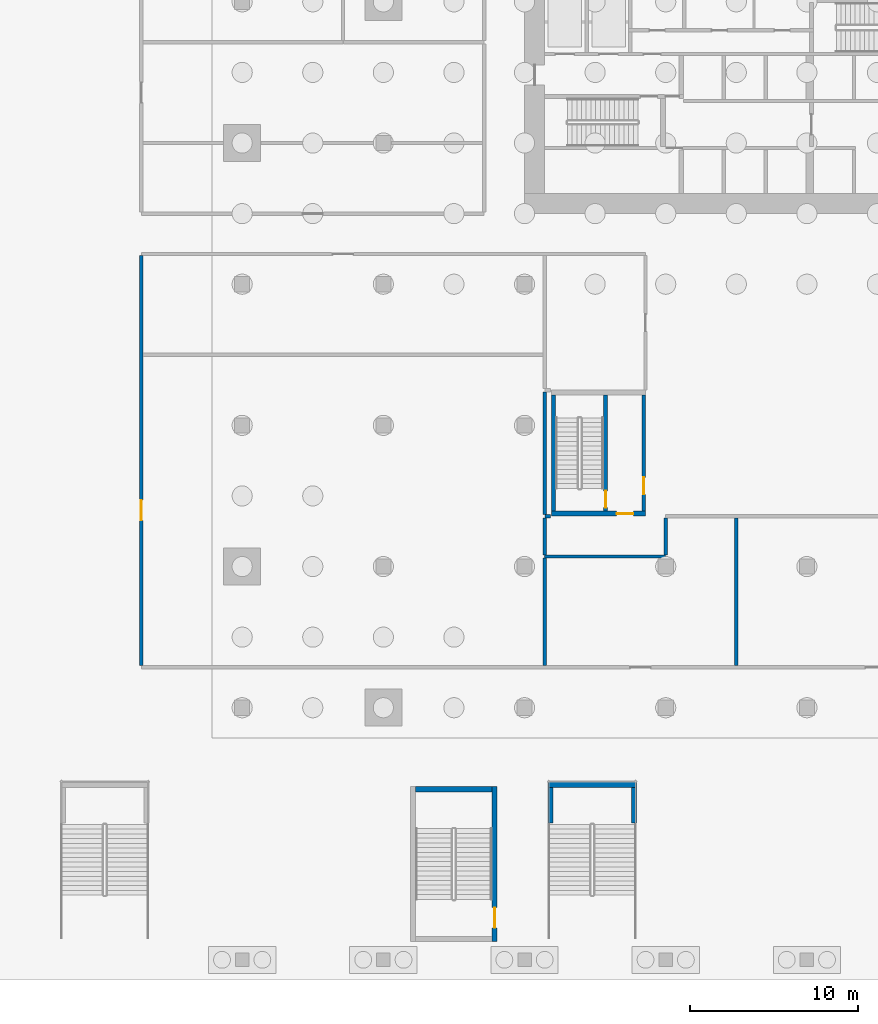
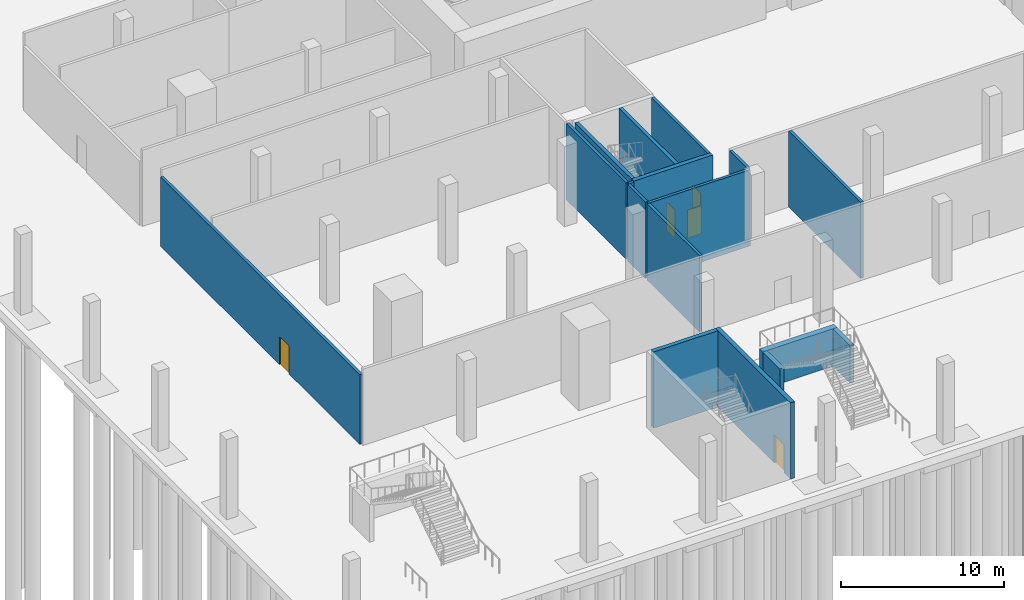
# One storey, part 4 of 16: 17 walls, 5 doors, 5 openings.
"""IFC4 building model written with IfcOpenShell, lengths in metres."""

import ifcopenshell
import ifcopenshell.guid

model = None  # the IFC model being written
_history = None  # IfcOwnerHistory: only IFC2X3 demands one
_inside = {}  # id of a spatial element -> (the spatial element, [elements in it])
_under = {}  # id of a project, library or spatial element -> (it, [spatial elements below it])
_declared = {}  # id of a project -> (the project, [libraries it declares])
_typed = {}  # id of a type object -> (the type object, [elements of that type])
_made_of = {}  # id of a material, layer set ... -> (it, [elements and type objects made of it])


def new_model(schema):
    """Start an empty IFC model of exactly this schema.

    Asked for "IFC4X3", IfcOpenShell would pick the latest addendum, in which some entities
    have other attributes; the version numbers below select the first issue.
    IFC2X3 requires an IfcOwnerHistory on every rooted entity: one is made here for all.
    """
    global model, _history
    if schema == "IFC4X3":
        model = ifcopenshell.file(schema_version=(4, 3, 0, 0))
    else:
        model = ifcopenshell.file(schema=schema)
    _inside.clear()
    _under.clear()
    _declared.clear()
    _typed.clear()
    _made_of.clear()
    _history = None
    if model.schema == "IFC2X3":
        org = make("IfcOrganization", Name="unknown")
        user = make(
            "IfcPersonAndOrganization",
            ThePerson=make("IfcPerson", FamilyName="unknown"),
            TheOrganization=org,
        )
        app = make(
            "IfcApplication",
            ApplicationDeveloper=org,
            Version="unknown",
            ApplicationFullName="unknown",
            ApplicationIdentifier="unknown",
        )
        _history = make(
            "IfcOwnerHistory",
            OwningUser=user,
            OwningApplication=app,
            ChangeAction="ADDED",
            CreationDate=0,
        )
    return model


def make(cls, **values):
    """One entity of the class cls with the attributes given. An attribute that is None is left unset."""
    return model.create_entity(
        cls, **{name: value for name, value in values.items() if value is not None}
    )


def rooted(cls, **values):
    """An entity with a GlobalId (a new one), such as an element, a storey or a relation."""
    return make(cls, GlobalId=ifcopenshell.guid.new(), OwnerHistory=_history, **values)


def si_unit(unit_type, name, prefix=None):
    """IfcSIUnit, for example si_unit("LENGTHUNIT", "METRE", prefix="MILLI")."""
    return make("IfcSIUnit", UnitType=unit_type, Prefix=prefix, Name=name)


def assignment(units):
    """IfcUnitAssignment: the units of a project."""
    return None if units is None else make("IfcUnitAssignment", Units=units)


def point(xyz):
    """IfcCartesianPoint."""
    return None if xyz is None else make("IfcCartesianPoint", Coordinates=xyz)


def direction(xyz):
    """IfcDirection."""
    return None if xyz is None else make("IfcDirection", DirectionRatios=xyz)


def frame(location, z_axis=None, x_axis=None):
    """IfcAxis2Placement3D, a coordinate frame: its origin and axes. An axis left out is left unset."""
    return make(
        "IfcAxis2Placement3D",
        Location=point(location),
        Axis=direction(z_axis),
        RefDirection=direction(x_axis),
    )


def frame_2d(location, x_axis=None):
    """IfcAxis2Placement2D, a coordinate frame in the plane: its origin and x axis."""
    return make(
        "IfcAxis2Placement2D", Location=point(location), RefDirection=direction(x_axis)
    )


def origin():
    """The frame at (0, 0, 0) with its axes left unset."""
    return frame((0.0, 0.0, 0.0))


def place(relative_to, where):
    """IfcLocalPlacement: puts the frame where relative to a parent placement (None: the world)."""
    return make(
        "IfcLocalPlacement", PlacementRelTo=relative_to, RelativePlacement=where
    )


def context(
    kind, dimensions, precision=None, world=None, true_north=None, identifier=None
):
    """IfcGeometricRepresentationContext, for example the 3D "Model" context."""
    return make(
        "IfcGeometricRepresentationContext",
        ContextIdentifier=identifier,
        ContextType=kind,
        CoordinateSpaceDimension=dimensions,
        Precision=precision,
        WorldCoordinateSystem=world,
        TrueNorth=true_north,
    )


def subcontext(parent, identifier, kind, view, scale=None):
    """IfcGeometricRepresentationSubContext, for example "Body" below "Model"."""
    return make(
        "IfcGeometricRepresentationSubContext",
        ContextIdentifier=identifier,
        ContextType=kind,
        ParentContext=parent,
        TargetScale=scale,
        TargetView=view,
    )


def project(units=None, contexts=None):
    """IfcProject with its units and contexts."""
    return rooted(
        "IfcProject",
        Name="project",
        RepresentationContexts=contexts,
        UnitsInContext=assignment(units),
    )


def spatial(cls, under=None, at=None, **own):
    """A site, building, storey or space (cls), placed at a placement, below another one or the project."""
    s = rooted(cls, ObjectPlacement=at, **own)
    if under is not None:
        _under.setdefault(under.id(), (under, []))[1].append(s)
    return s


def profile(cls, at=None, kind="AREA", **sizes):
    """A parametric profile (cls). Its sizes go by their IFC names, for example OverallWidth=200.0."""
    return make(cls, ProfileType=kind, Position=at, **sizes)


def rectangle(**sizes):
    """IfcRectangleProfileDef."""
    return profile("IfcRectangleProfileDef", **sizes)


def extrude(swept, where, along, depth):
    """IfcExtrudedAreaSolid: the profile swept, set in the frame where, extruded along a direction by depth."""
    return make(
        "IfcExtrudedAreaSolid",
        SweptArea=swept,
        Position=where,
        ExtrudedDirection=direction(along),
        Depth=depth,
    )


def shape(context_of_items, identifier, shape_type, items):
    """IfcShapeRepresentation: the items that make up one representation, for example the "Body"."""
    return make(
        "IfcShapeRepresentation",
        ContextOfItems=context_of_items,
        RepresentationIdentifier=identifier,
        RepresentationType=shape_type,
        Items=items,
    )


def material(Name=None, Category=None):
    """IfcMaterial."""
    return make("IfcMaterial", Name=Name, Category=Category)


def layer(
    of_material, thickness, ventilated=None, Name=None, Category=None, Priority=None
):
    """IfcMaterialLayer: one layer of a wall or slab, of a material (None: an air gap)."""
    return make(
        "IfcMaterialLayer",
        Material=of_material,
        LayerThickness=thickness,
        IsVentilated=ventilated,
        Name=Name,
        Category=Category,
        Priority=Priority,
    )


def layer_set(layers, Name=None):
    """IfcMaterialLayerSet."""
    return make("IfcMaterialLayerSet", MaterialLayers=layers, LayerSetName=Name)


def made_of(thing, what):
    """Note that an element or type object is made of a material, layer set ...; save() writes the relation."""
    if what is not None:
        _made_of.setdefault(what.id(), (what, []))[1].append(thing)
    return thing


def type_object(cls, material=None, **own):
    """A type object (cls), such as IfcWallType, which elements share."""
    return made_of(rooted(cls, **own), material)


def element(
    cls,
    number,
    at=None,
    inside=None,
    cuts=None,
    type_object=None,
    material=None,
    context=None,
    identifier="Body",
    shape_type=None,
    held_by="IfcProductDefinitionShape",
    body=None,
    shapes=None,
    **own,
):
    """One element of the class cls, such as IfcWall. Its Tag is "e" and its number.

    at: its placement. inside: the storey or other place that contains it. cuts: it is an
    opening in that element (IfcRelVoidsElement). A single representation is given by context,
    identifier, shape_type and body (its items); several are given by shapes. held_by: the class
    of the entity that holds the representations. save() writes the other relations.
    """
    e = rooted(cls, Tag="e%d" % number, ObjectPlacement=at, **own)
    if body is not None:
        shapes = [shape(context, identifier, shape_type, body)]
    if shapes is not None:
        e.Representation = make(held_by, Representations=shapes)
    if inside is not None:
        _inside.setdefault(inside.id(), (inside, []))[1].append(e)
    if cuts is not None:
        rooted(
            "IfcRelVoidsElement", RelatingBuildingElement=cuts, RelatedOpeningElement=e
        )
    if type_object is not None:
        _typed.setdefault(type_object.id(), (type_object, []))[1].append(e)
    return made_of(e, material)


def fill(opening, filler):
    """IfcRelFillsElement: the door or window that sits in an opening."""
    return rooted(
        "IfcRelFillsElement",
        RelatingOpeningElement=opening,
        RelatedBuildingElement=filler,
    )


def aggregate(whole, parts):
    """IfcRelAggregates: a whole, such as a stair, and the parts it consists of."""
    return rooted("IfcRelAggregates", RelatingObject=whole, RelatedObjects=parts)


def save(model, path):
    """Write the relations noted so far, then the file.

    IfcRelAggregates (storeys below a building ...), IfcRelContainedInSpatialStructure (elements
    in a storey), IfcRelDefinesByType, IfcRelAssociatesMaterial and IfcRelDeclares: one each for
    every whole, place, type object, material and project.
    """
    for whole, parts in _under.values():
        aggregate(whole, parts)
    for where, things in _inside.values():
        rooted(
            "IfcRelContainedInSpatialStructure",
            RelatedElements=things,
            RelatingStructure=where,
        )
    for kind, things in _typed.values():
        rooted("IfcRelDefinesByType", RelatedObjects=things, RelatingType=kind)
    for what, things in _made_of.values():
        rooted("IfcRelAssociatesMaterial", RelatedObjects=things, RelatingMaterial=what)
    for by, libraries in _declared.values():
        rooted("IfcRelDeclares", RelatingContext=by, RelatedDefinitions=libraries)
    model.write(path)


model = new_model("IFC4")

# Units and contexts
model_context = context("Model", 3, precision=1e-05, world=origin(), true_north=direction((0.0, 1.0)))
body_context = subcontext(model_context, "Body", "Model", "MODEL_VIEW")
ifc_project = project(units=[si_unit("LENGTHUNIT", "METRE"), si_unit("AREAUNIT", "SQUARE_METRE"), si_unit("VOLUMEUNIT", "CUBIC_METRE"), si_unit("PLANEANGLEUNIT", "RADIAN"), si_unit("MASSUNIT", "GRAM", prefix="KILO")], contexts=[model_context])

# Site, building, storey
site_placement = place(None, origin())
site = spatial("IfcSite", under=ifc_project, at=site_placement, CompositionType="ELEMENT")
building_placement = place(site_placement, origin())
building = spatial("IfcBuilding", under=site, at=building_placement, Name="Saffron Gate Tower", CompositionType="ELEMENT")
storey_placement = place(building_placement, frame((0.0, 0.0, -6.0)))
storey = spatial("IfcBuildingStorey", under=building, at=storey_placement, Name="B1", CompositionType="ELEMENT", Elevation=-6.0)

# Wall, opening, door
ifc_material_1 = material(Name="Gypsum board partition on steel studs", Category="steel")
ifc_layer_1 = layer(ifc_material_1, 0.199951171875)
ifc_layer_set_1 = layer_set([ifc_layer_1], Name="CW10 Core partition 200")
wall_type_1 = type_object("IfcWallType", Name="CW10 Core partition 200", PredefinedType="PARTITIONING", material=ifc_layer_set_1)
wall_1_placement = place(storey_placement, frame((73.699951171875, 43.5, 0.0), z_axis=(0.0, 0.0, 1.0), x_axis=(0.0, 1.0, 0.0)))
wall_1 = element("IfcWall", 1, at=wall_1_placement, inside=storey, type_object=wall_type_1, Name="Wall CW10-B1-D-4", PredefinedType="PARTITIONING", context=body_context, shape_type="SweptSolid", body=[
    extrude(rectangle(XDim=6.89990234375, YDim=0.199951171875, at=frame_2d((3.449951171875, 0.0))), origin(), (0.0, 0.0, 1.0), 5.699951171875),
])
opening_1_placement = place(wall_1_placement, frame((1.0, 0.0, 0.0)))
opening_1 = element("IfcOpeningElement", 2, at=opening_1_placement, cuts=wall_1, Name="Opening CR-19", PredefinedType="OPENING", context=body_context, shape_type="SweptSolid", body=[
    extrude(rectangle(XDim=1.0, YDim=2.10009765625, at=frame_2d((0.5, 1.050048828125))), frame((0.0, 0.10986328125, 0.0), z_axis=(0.0, -1.0, 0.0), x_axis=(1.0, 0.0, 0.0)), (0.0, 0.0, 1.0), 0.219970703125),
])
ifc_material_2 = material(Name="Steel fire door set", Category="steel")
door_type_1 = type_object("IfcDoorType", Name="CD4 Lobby door 1000x2100 EI 120", OperationType="NOTDEFINED", PredefinedType="DOOR", material=ifc_material_2)
door_1_placement = place(opening_1_placement, origin())
door_1 = element("IfcDoor", 3, at=door_1_placement, inside=storey, type_object=door_type_1, Name="DOOR CR-19", OperationType="SINGLE_SWING_RIGHT", OverallHeight=2.10009765625, OverallWidth=1.0, PredefinedType="DOOR", context=body_context, shape_type="SweptSolid", body=[
    extrude(rectangle(XDim=1.0, YDim=2.10009765625, at=frame_2d((0.5, 1.050048828125))), frame((0.0, 0.02490234375, 0.0), z_axis=(0.0, -1.0, 0.0), x_axis=(1.0, 0.0, 0.0)), (0.0, 0.0, 1.0), 0.050048828125),
])
fill(opening_1, door_1)

# Wall
ifc_material_3 = material(Name="Concrete C70", Category="concrete")
ifc_layer_2 = layer(ifc_material_3, 0.25)
ifc_layer_set_2 = layer_set([ifc_layer_2], Name="CW2 RC core wall 250 C70")
wall_type_2 = type_object("IfcWallType", Name="CW2 RC core wall 250 C70", PredefinedType="SOLIDWALL", material=ifc_layer_set_2)
wall_2_placement = place(storey_placement, frame((68.324951171875, 43.5, 0.0), z_axis=(0.0, 0.0, 1.0), x_axis=(0.0, 1.0, 0.0)))
element("IfcWall", 4, at=wall_2_placement, inside=storey, type_object=wall_type_2, Name="Wall CW2-B1-D-2", PredefinedType="SOLIDWALL", context=body_context, shape_type="SweptSolid", body=[
    extrude(rectangle(XDim=6.89990234375, YDim=0.25, at=frame_2d((3.449951171875, 0.0))), origin(), (0.0, 0.0, 1.0), 5.699951171875),
])

# Wall, opening, door
wall_3_placement = place(storey_placement, frame((71.425048828125, 43.5, 0.0), z_axis=(0.0, 0.0, 1.0), x_axis=(0.0, 1.0, 0.0)))
wall_3 = element("IfcWall", 5, at=wall_3_placement, inside=storey, type_object=wall_type_2, Name="Wall CW2-B1-D-3", PredefinedType="SOLIDWALL", context=body_context, shape_type="SweptSolid", body=[
    extrude(rectangle(XDim=6.89990234375, YDim=0.25, at=frame_2d((3.449951171875, 0.0))), origin(), (0.0, 0.0, 1.0), 5.699951171875),
])
opening_2_placement = place(wall_3_placement, frame((0.199951171875, 0.0, 0.0)))
opening_2 = element("IfcOpeningElement", 6, at=opening_2_placement, cuts=wall_3, Name="Opening CR-20", PredefinedType="OPENING", context=body_context, shape_type="SweptSolid", body=[
    extrude(rectangle(XDim=1.0, YDim=2.10009765625, at=frame_2d((0.5, 1.050048828125))), frame((0.0, 0.135009765625, 0.0), z_axis=(0.0, -1.0, 0.0), x_axis=(1.0, 0.0, 0.0)), (0.0, 0.0, 1.0), 0.27001953125),
])
door_type_2 = type_object("IfcDoorType", Name="CD5 Stair door 1000x2100 EI 120", OperationType="NOTDEFINED", PredefinedType="DOOR", material=ifc_material_2)
door_2_placement = place(opening_2_placement, origin())
door_2 = element("IfcDoor", 7, at=door_2_placement, inside=storey, type_object=door_type_2, Name="DOOR CR-20", OperationType="SINGLE_SWING_LEFT", OverallHeight=2.10009765625, OverallWidth=1.0, PredefinedType="DOOR", context=body_context, shape_type="SweptSolid", body=[
    extrude(rectangle(XDim=1.0, YDim=2.10009765625, at=frame_2d((0.5, 1.050048828125))), frame((0.0, 0.02490234375, 0.0), z_axis=(0.0, -1.0, 0.0), x_axis=(1.0, 0.0, 0.0)), (0.0, 0.0, 1.0), 0.050048828125),
])
fill(opening_2, door_2)

# Walls
ifc_layer_3 = layer(ifc_material_3, 0.39990234375)
ifc_layer_set_3 = layer_set([ifc_layer_3], Name="CW32 RC stair support wall 400 C70")
wall_type_3 = type_object("IfcWallType", Name="CW32 RC stair support wall 400 C70", PredefinedType="SOLIDWALL", material=ifc_layer_set_3)
wall_4_placement = place(storey_placement, frame((73.25, 27.25, 0.0), z_axis=(0.0, 0.0, 1.0), x_axis=(-1.0, 0.0, 0.0)))
element("IfcWall", 8, at=wall_4_placement, inside=storey, type_object=wall_type_3, Name="Wall CW32-SS2-far", PredefinedType="SOLIDWALL", context=body_context, shape_type="SweptSolid", body=[
    extrude(rectangle(XDim=5.25, YDim=0.39990234375, at=frame_2d((2.625, 0.0))), origin(), (0.0, 0.0, 1.0), 2.800048828125),
])
ifc_layer_4 = layer(ifc_material_3, 0.300048828125)
ifc_layer_set_4 = layer_set([ifc_layer_4], Name="CW33 RC stair support wall 300 C70")
wall_type_4 = type_object("IfcWallType", Name="CW33 RC stair support wall 300 C70", PredefinedType="SOLIDWALL", material=ifc_layer_set_4)
for number, where, z_axis, x_axis, name in (
    (9, (73.10009765625, 24.949951171875, 0.0), (0.0, 0.0, 1.0), (0.0, 1.0, 0.0), "Wall CW33-SS2-side-a"),
    (10, (68.14990234375, 24.949951171875, 0.0), (0.0, 0.0, 1.0), (0.0, 1.0, 0.0), "Wall CW33-SS2-side-b"),
):
    element("IfcWall", number, at=place(storey_placement, frame(where, z_axis=z_axis, x_axis=x_axis)), inside=storey, type_object=wall_type_4, Name=name, PredefinedType="SOLIDWALL", context=body_context, shape_type="SweptSolid", body=[
        extrude(rectangle(XDim=2.10009765625, YDim=0.300048828125, at=frame_2d((1.050048828125, 0.0))), origin(), (0.0, 0.0, 1.0), 2.800048828125),
    ])

# Wall, opening, door
ifc_layer_5 = layer(ifc_material_3, 0.300048828125)
ifc_layer_set_5 = layer_set([ifc_layer_5], Name="CW5 RC core wall 300 C70")
wall_type_5 = type_object("IfcWallType", Name="CW5 RC core wall 300 C70", PredefinedType="SOLIDWALL", material=ifc_layer_set_5)
wall_5_placement = place(storey_placement, frame((68.199951171875, 43.35009765625, 0.0), z_axis=(0.0, 0.0, 1.0), x_axis=(1.0, 0.0, 0.0)))
wall_5 = element("IfcWall", 11, at=wall_5_placement, inside=storey, type_object=wall_type_5, Name="Wall CW5-B1-D-1", PredefinedType="SOLIDWALL", context=body_context, shape_type="SweptSolid", body=[
    extrude(rectangle(XDim=5.60009765625, YDim=0.300048828125, at=frame_2d((2.800048828125, 0.0))), origin(), (0.0, 0.0, 1.0), 5.699951171875),
])
opening_3_placement = place(wall_5_placement, frame((3.875, 0.0, 0.0)))
opening_3 = element("IfcOpeningElement", 12, at=opening_3_placement, cuts=wall_5, Name="Opening CR-18", PredefinedType="OPENING", context=body_context, shape_type="SweptSolid", body=[
    extrude(rectangle(XDim=1.0, YDim=2.10009765625, at=frame_2d((0.5, 1.050048828125))), frame((0.0, 0.16015625, 0.0), z_axis=(0.0, -1.0, 0.0), x_axis=(1.0, 0.0, 0.0)), (0.0, 0.0, 1.0), 0.320068359375),
])
door_3_placement = place(opening_3_placement, origin())
door_3 = element("IfcDoor", 13, at=door_3_placement, inside=storey, type_object=door_type_1, Name="DOOR CR-18", OperationType="SINGLE_SWING_RIGHT", OverallHeight=2.10009765625, OverallWidth=1.0, PredefinedType="DOOR", context=body_context, shape_type="SweptSolid", body=[
    extrude(rectangle(XDim=1.0, YDim=2.10009765625, at=frame_2d((0.5, 1.050048828125))), frame((0.0, 0.02490234375, 0.0), z_axis=(0.0, -1.0, 0.0), x_axis=(1.0, 0.0, 0.0)), (0.0, 0.0, 1.0), 0.050048828125),
])
fill(opening_3, door_3)

wall_6_placement = place(storey_placement, frame((64.824951171875, 17.89990234375, 0.0), z_axis=(0.0, 0.0, 1.0), x_axis=(0.0, 1.0, 0.0)))
wall_6 = element("IfcWall", 14, at=wall_6_placement, inside=storey, type_object=wall_type_5, Name="Wall CW5-B1-L-3", PredefinedType="SOLIDWALL", context=body_context, shape_type="SweptSolid", body=[
    extrude(rectangle(XDim=9.2001953125, YDim=0.300048828125, at=frame_2d((4.60009765625, 0.0))), origin(), (0.0, 0.0, 1.0), 5.699951171875),
])
opening_4_placement = place(wall_6_placement, frame((0.800048828125, 0.0, 0.0)))
opening_4 = element("IfcOpeningElement", 15, at=opening_4_placement, cuts=wall_6, Name="Opening CR-42", PredefinedType="OPENING", context=body_context, shape_type="SweptSolid", body=[
    extrude(rectangle(XDim=1.199951171875, YDim=2.10009765625, at=frame_2d((0.60009765625, 1.050048828125))), frame((0.0, 0.16015625, 0.0), z_axis=(0.0, -1.0, 0.0), x_axis=(1.0, 0.0, 0.0)), (0.0, 0.0, 1.0), 0.320068359375),
])
door_type_3 = type_object("IfcDoorType", Name="CD12 Stair door 1200x2100 EI 120", OperationType="NOTDEFINED", PredefinedType="DOOR", material=ifc_material_2)
door_4_placement = place(opening_4_placement, origin())
door_4 = element("IfcDoor", 16, at=door_4_placement, inside=storey, type_object=door_type_3, Name="DOOR CR-42", OperationType="SINGLE_SWING_RIGHT", OverallHeight=2.10009765625, OverallWidth=1.199951171875, PredefinedType="DOOR", context=body_context, shape_type="SweptSolid", body=[
    extrude(rectangle(XDim=1.199951171875, YDim=2.10009765625, at=frame_2d((0.60009765625, 1.050048828125))), frame((0.0, 0.02490234375, 0.0), z_axis=(0.0, -1.0, 0.0), x_axis=(1.0, 0.0, 0.0)), (0.0, 0.0, 1.0), 0.050048828125),
])
fill(opening_4, door_4)

# Walls
wall_7_placement = place(storey_placement, frame((60.125, 26.949951171875, 0.0), z_axis=(0.0, 0.0, 1.0), x_axis=(1.0, 0.0, 0.0)))
element("IfcWall", 17, at=wall_7_placement, inside=storey, type_object=wall_type_5, Name="Wall CW5-B1-L-4", PredefinedType="SOLIDWALL", context=body_context, shape_type="SweptSolid", body=[
    extrude(rectangle(XDim=4.550048828125, YDim=0.300048828125, at=frame_2d((2.27490234375, 0.0))), origin(), (0.0, 0.0, 1.0), 5.699951171875),
])
ifc_material_4 = material(Name="Clay brick masonry, rendered", Category="masonry")
ifc_layer_6 = layer(ifc_material_4, 0.199951171875)
ifc_layer_set_6 = layer_set([ifc_layer_6], Name="PW3 Corridor wall 200")
wall_type_6 = type_object("IfcWallType", Name="PW3 Corridor wall 200", PredefinedType="PARTITIONING", material=ifc_layer_set_6)
wall_8_placement = place(storey_placement, frame((67.800048828125, 40.800048828125, 0.0), z_axis=(0.0, 0.0, 1.0), x_axis=(1.0, 0.0, 0.0)))
element("IfcWall", 18, at=wall_8_placement, inside=storey, type_object=wall_type_6, Name="Wall BS-2", PredefinedType="PARTITIONING", context=body_context, shape_type="SweptSolid", body=[
    extrude(rectangle(XDim=7.199951171875, YDim=0.199951171875, at=frame_2d((3.60009765625, 0.0))), origin(), (0.0, 0.0, 1.0), 5.699951171875),
])

# Wall, opening, door
wall_9_placement = place(storey_placement, frame((43.800048828125, 58.699951171875, 0.0), z_axis=(0.0, 0.0, 1.0), x_axis=(0.0, -1.0, 0.0)))
wall_9 = element("IfcWall", 19, at=wall_9_placement, inside=storey, type_object=wall_type_6, Name="Wall BS-30", PredefinedType="PARTITIONING", context=body_context, shape_type="SweptSolid", body=[
    extrude(rectangle(XDim=24.39990234375, YDim=0.199951171875, at=frame_2d((12.199951171875, 0.0))), origin(), (0.0, 0.0, 1.0), 5.199951171875),
])
opening_5_placement = place(wall_9_placement, frame((14.550048828125, 0.0, 0.0)))
opening_5 = element("IfcOpeningElement", 20, at=opening_5_placement, cuts=wall_9, Name="Opening BS-10", PredefinedType="OPENING", context=body_context, shape_type="SweptSolid", body=[
    extrude(rectangle(XDim=1.199951171875, YDim=2.10009765625, at=frame_2d((0.60009765625, 1.050048828125))), frame((0.0, 0.10986328125, 0.0), z_axis=(0.0, -1.0, 0.0), x_axis=(1.0, 0.0, 0.0)), (0.0, 0.0, 1.0), 0.219970703125),
])
ifc_material_5 = material(Name="Timber door set", Category="wood")
door_type_4 = type_object("IfcDoorType", Name="HD1 Hall door 1200x2100", OperationType="NOTDEFINED", PredefinedType="DOOR", material=ifc_material_5)
door_5_placement = place(opening_5_placement, origin())
door_5 = element("IfcDoor", 21, at=door_5_placement, inside=storey, type_object=door_type_4, Name="Door BS-10", OperationType="SINGLE_SWING_RIGHT", OverallHeight=2.10009765625, OverallWidth=1.199951171875, PredefinedType="DOOR", context=body_context, shape_type="SweptSolid", body=[
    extrude(rectangle(XDim=1.199951171875, YDim=2.10009765625, at=frame_2d((0.60009765625, 1.050048828125))), frame((0.0, 0.02490234375, 0.0), z_axis=(0.0, -1.0, 0.0), x_axis=(1.0, 0.0, 0.0)), (0.0, 0.0, 1.0), 0.050048828125),
])
fill(opening_5, door_5)

# Walls
for number, where, z_axis, x_axis, name in (
    (22, (67.800048828125, 43.10009765625, 0.0), (0.0, 0.0, 1.0), (0.0, -1.0, 0.0), "Wall BS-35"),
    (23, (75.0, 43.10009765625, 0.0), (0.0, 0.0, 1.0), (0.0, -1.0, 0.0), "Wall BS-40"),
):
    element("IfcWall", number, at=place(storey_placement, frame(where, z_axis=z_axis, x_axis=x_axis)), inside=storey, type_object=wall_type_6, Name=name, PredefinedType="PARTITIONING", context=body_context, shape_type="SweptSolid", body=[
        extrude(rectangle(XDim=2.2001953125, YDim=0.199951171875, at=frame_2d((1.10009765625, 0.0))), origin(), (0.0, 0.0, 1.0), 5.699951171875),
    ])
ifc_layer_7 = layer(ifc_material_4, 0.199951171875)
ifc_layer_set_7 = layer_set([ifc_layer_7], Name="PW5 Room wall 200")
wall_type_7 = type_object("IfcWallType", Name="PW5 Room wall 200", PredefinedType="PARTITIONING", material=ifc_layer_set_7)
wall_10_placement = place(storey_placement, frame((67.820068359375, 43.199951171875, 0.0), z_axis=(0.0, 0.0, 1.0), x_axis=(1.0, 0.0, 0.0)))
element("IfcWall", 24, at=wall_10_placement, inside=storey, type_object=wall_type_7, Name="Wall BS-5", PredefinedType="PARTITIONING", context=body_context, shape_type="SweptSolid", body=[
    extrude(rectangle(XDim=0.329833984375, YDim=0.199951171875, at=frame_2d((0.1650390625, 0.0))), origin(), (0.0, 0.0, 1.0), 5.699951171875),
])
wall_11_placement = place(storey_placement, frame((67.800048828125, 50.60009765625, 0.0), z_axis=(0.0, 0.0, 1.0), x_axis=(0.0, -1.0, 0.0)))
element("IfcWall", 25, at=wall_11_placement, inside=storey, type_object=wall_type_7, Name="Wall BS-36", PredefinedType="PARTITIONING", context=body_context, shape_type="SweptSolid", body=[
    extrude(rectangle(XDim=7.300048828125, YDim=0.199951171875, at=frame_2d((3.64990234375, 0.0))), origin(), (0.0, 0.0, 1.0), 5.699951171875),
])
wall_12_placement = place(storey_placement, frame((67.800048828125, 40.699951171875, 0.0), z_axis=(0.0, 0.0, 1.0), x_axis=(0.0, -1.0, 0.0)))
element("IfcWall", 26, at=wall_12_placement, inside=storey, type_object=wall_type_7, Name="Wall BS-37", PredefinedType="PARTITIONING", context=body_context, shape_type="SweptSolid", body=[
    extrude(rectangle(XDim=6.39990234375, YDim=0.199951171875, at=frame_2d((3.199951171875, 0.0))), origin(), (0.0, 0.0, 1.0), 5.699951171875),
])
wall_13_placement = place(storey_placement, frame((79.199951171875, 43.10009765625, 0.0), z_axis=(0.0, 0.0, 1.0), x_axis=(0.0, -1.0, 0.0)))
element("IfcWall", 27, at=wall_13_placement, inside=storey, type_object=wall_type_7, Name="Wall BS-41", PredefinedType="PARTITIONING", context=body_context, shape_type="SweptSolid", body=[
    extrude(rectangle(XDim=8.800048828125, YDim=0.199951171875, at=frame_2d((4.39990234375, 0.0))), origin(), (0.0, 0.0, 1.0), 5.699951171875),
])

save(model, "model.ifc")
